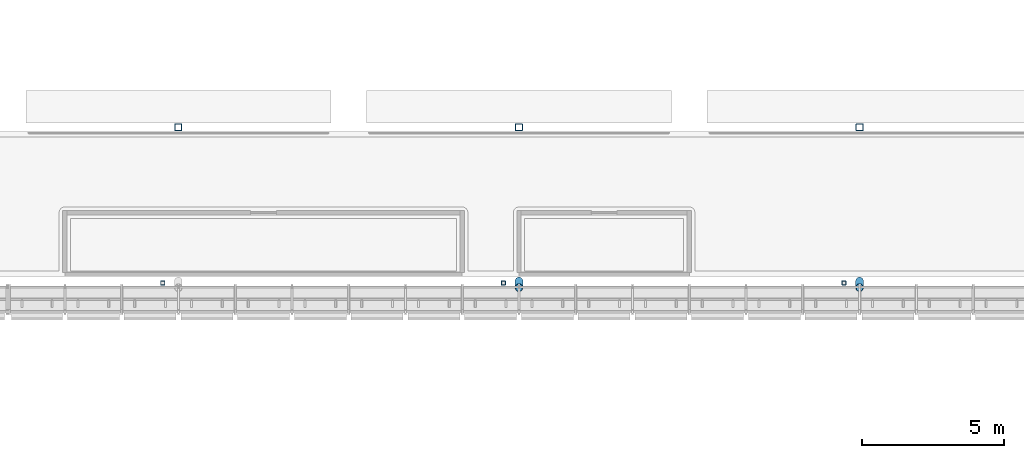
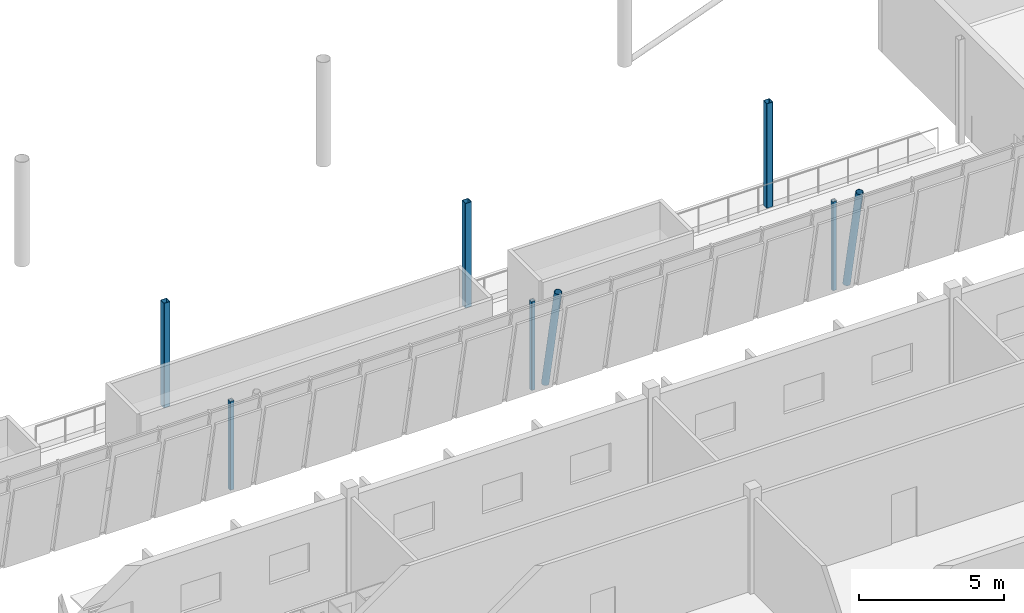
# One storey, part 7 of 115: 8 columns.
"""IFC4 building model written with IfcOpenShell, lengths in metres."""

from ifc_helpers import new_model, si_unit, direction, frame, origin, origin_2d, place, context, subcontext, project, spatial, hollow_rectangle, hollow_circle, extrude, material, material_profile, profile_set, type_object, element, save


model = new_model("IFC4")

# Units and contexts
model_context = context("Model", 3, precision=1e-05, world=origin(), true_north=direction((0.0, 1.0)))
body_context = subcontext(model_context, "Body", "Model", "MODEL_VIEW")
ifc_project = project(units=[si_unit("LENGTHUNIT", "METRE"), si_unit("AREAUNIT", "SQUARE_METRE"), si_unit("VOLUMEUNIT", "CUBIC_METRE"), si_unit("PLANEANGLEUNIT", "RADIAN"), si_unit("MASSUNIT", "GRAM", prefix="KILO")], contexts=[model_context])

# Site, building, storey
site_placement = place(None, origin())
site = spatial("IfcSite", under=ifc_project, at=site_placement, CompositionType="ELEMENT")
building_placement = place(site_placement, origin())
building = spatial("IfcBuilding", under=site, at=building_placement, Name="Windward Yard Aquatics Centre", CompositionType="ELEMENT")
storey_placement = place(building_placement, frame((0.0, 0.0, 5.0)))
storey = spatial("IfcBuildingStorey", under=building, at=storey_placement, Name="L01", CompositionType="ELEMENT", Elevation=5.0)

# Columns
ifc_material = material(Name="Steel ASTM A500 Gr C", Category="steel")
ifc_material_profile_1 = material_profile(ifc_material, hollow_rectangle(XDim=0.15234375, YDim=0.15234375, WallThickness=0.0126953125, InnerFilletRadius=0.00634765625, OuterFilletRadius=0.01904296875, at=origin_2d()), Name="HSS152X152X12.7")
ifc_profile_set_1 = profile_set([ifc_material_profile_1], Name="Steel ASTM A500 Gr C")
column_type_1 = type_object("IfcColumnType", Name="H gallery column HSS152X152X12.7", PredefinedType="COLUMN", material=ifc_profile_set_1)
for number, where, z_axis, x_axis, name in (
    (1, (107.449951171875, 26.22509765625, 0.0), (0.0, 0.0, 1.0), (1.0, 0.0, 0.0), "H.GC.S5.L01"),
    (2, (119.449951171875, 26.22509765625, 0.0), (0.0, 0.0, 1.0), (1.0, 0.0, 0.0), "H.GC.S6.L01"),
    (3, (131.449951171875, 26.22509765625, 0.0), (0.0, 0.0, 1.0), (1.0, 0.0, 0.0), "H.GC.S7.L01"),
):
    element("IfcColumn", number, at=place(storey_placement, frame(where, z_axis=z_axis, x_axis=x_axis)), inside=storey, type_object=column_type_1, Name=name, PredefinedType="COLUMN", context=body_context, shape_type="SweptSolid", body=[
        extrude(hollow_rectangle(XDim=0.15234375, YDim=0.15234375, WallThickness=0.0126953125, InnerFilletRadius=0.00634765625, OuterFilletRadius=0.01904296875, at=origin_2d()), origin(), (0.0, 0.0, 1.0), 3.742919921875),
    ])
ifc_material_profile_2 = material_profile(ifc_material, hollow_rectangle(XDim=0.25390625, YDim=0.25390625, WallThickness=0.015869140625, InnerFilletRadius=0.008056640625, OuterFilletRadius=0.02392578125, at=origin_2d()), Name="HSS254X254X15.9")
ifc_profile_set_2 = profile_set([ifc_material_profile_2], Name="Steel ASTM A500 Gr C")
column_type_2 = type_object("IfcColumnType", Name="H inner column HSS254X254X15.9", PredefinedType="COLUMN", material=ifc_profile_set_2)
for number, where, z_axis, x_axis, name in (
    (4, (108.0, 31.709716796875, 0.0), (0.0, 0.0, 1.0), (1.0, 0.0, 0.0), "H.IC.S5.L01"),
    (5, (120.0, 31.709716796875, 0.0), (0.0, 0.0, 1.0), (1.0, 0.0, 0.0), "H.IC.S6.L01"),
    (6, (132.0, 31.709716796875, 0.0), (0.0, 0.0, 1.0), (1.0, 0.0, 0.0), "H.IC.S7.L01"),
):
    element("IfcColumn", number, at=place(storey_placement, frame(where, z_axis=z_axis, x_axis=x_axis)), inside=storey, type_object=column_type_2, Name=name, PredefinedType="COLUMN", context=body_context, shape_type="SweptSolid", body=[
        extrude(hollow_rectangle(XDim=0.25390625, YDim=0.25390625, WallThickness=0.015869140625, InnerFilletRadius=0.008056640625, OuterFilletRadius=0.02392578125, at=origin_2d()), origin(), (0.0, 0.0, 1.0), 4.39990234375),
    ])
ifc_material_profile_3 = material_profile(ifc_material, hollow_circle(Radius=0.136474609375, WallThickness=0.0126953125, at=origin_2d()), Name="HSS273.1X12.7")
ifc_profile_set_3 = profile_set([ifc_material_profile_3], Name="Steel ASTM A500 Gr C")
column_type_3 = type_object("IfcColumnType", Name="H tier 1 leg HSS273.1X12.7", PredefinedType="COLUMN", material=ifc_profile_set_3)
for number, where, z_axis, x_axis, name in (
    (7, (120.0, 26.29443359375, 0.02734375), (0.0, -0.19937683017, 0.979922894717), (1.0, 0.0, 0.0), "H.TL.S6.T1A.L01"),
    (8, (132.0, 26.29443359375, 0.02734375), (0.0, -0.19937683017, 0.979922894717), (1.0, 0.0, 0.0), "H.TL.S7.T1A.L01"),
):
    element("IfcColumn", number, at=place(storey_placement, frame(where, z_axis=z_axis, x_axis=x_axis)), inside=storey, type_object=column_type_3, Name=name, PredefinedType="COLUMN", context=body_context, shape_type="SweptSolid", body=[
        extrude(hollow_circle(Radius=0.136474609375, WallThickness=0.0126953125, at=origin_2d()), origin(), (0.0, 0.0, 1.0), 4.462158203125),
    ])

save(model, "model.ifc")
